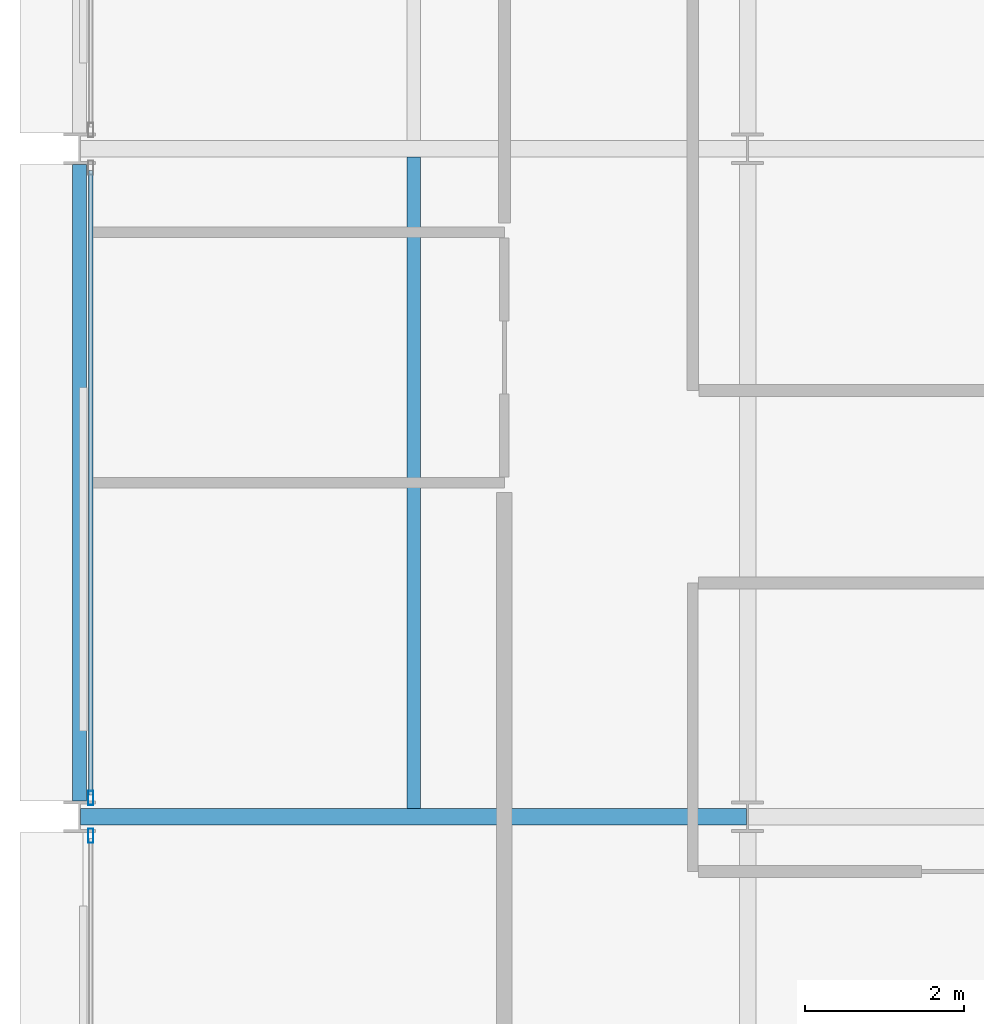
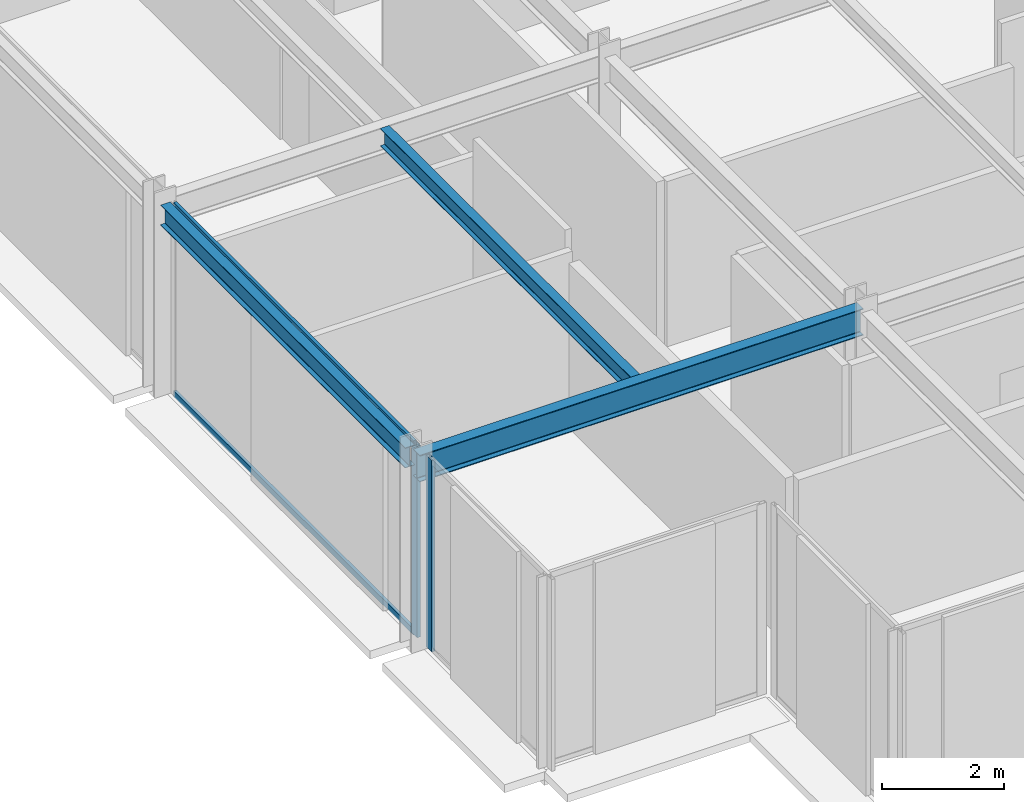
# One storey, part 4 of 30: 4 members, 3 beams, 2 elements without a shape of their own.
"""IFC4 building model written with IfcOpenShell, lengths in metres."""

import ifcopenshell
import ifcopenshell.guid

model = None  # the IFC model being written
_history = None  # IfcOwnerHistory: only IFC2X3 demands one
_inside = {}  # id of a spatial element -> (the spatial element, [elements in it])
_under = {}  # id of a project, library or spatial element -> (it, [spatial elements below it])
_declared = {}  # id of a project -> (the project, [libraries it declares])
_typed = {}  # id of a type object -> (the type object, [elements of that type])
_made_of = {}  # id of a material, layer set ... -> (it, [elements and type objects made of it])


def new_model(schema):
    """Start an empty IFC model of exactly this schema.

    Asked for "IFC4X3", IfcOpenShell would pick the latest addendum, in which some entities
    have other attributes; the version numbers below select the first issue.
    IFC2X3 requires an IfcOwnerHistory on every rooted entity: one is made here for all.
    """
    global model, _history
    if schema == "IFC4X3":
        model = ifcopenshell.file(schema_version=(4, 3, 0, 0))
    else:
        model = ifcopenshell.file(schema=schema)
    _inside.clear()
    _under.clear()
    _declared.clear()
    _typed.clear()
    _made_of.clear()
    _history = None
    if model.schema == "IFC2X3":
        org = make("IfcOrganization", Name="unknown")
        user = make(
            "IfcPersonAndOrganization",
            ThePerson=make("IfcPerson", FamilyName="unknown"),
            TheOrganization=org,
        )
        app = make(
            "IfcApplication",
            ApplicationDeveloper=org,
            Version="unknown",
            ApplicationFullName="unknown",
            ApplicationIdentifier="unknown",
        )
        _history = make(
            "IfcOwnerHistory",
            OwningUser=user,
            OwningApplication=app,
            ChangeAction="ADDED",
            CreationDate=0,
        )
    return model


def make(cls, **values):
    """One entity of the class cls with the attributes given. An attribute that is None is left unset."""
    return model.create_entity(
        cls, **{name: value for name, value in values.items() if value is not None}
    )


def rooted(cls, **values):
    """An entity with a GlobalId (a new one), such as an element, a storey or a relation."""
    return make(cls, GlobalId=ifcopenshell.guid.new(), OwnerHistory=_history, **values)


def si_unit(unit_type, name, prefix=None):
    """IfcSIUnit, for example si_unit("LENGTHUNIT", "METRE", prefix="MILLI")."""
    return make("IfcSIUnit", UnitType=unit_type, Prefix=prefix, Name=name)


def assignment(units):
    """IfcUnitAssignment: the units of a project."""
    return None if units is None else make("IfcUnitAssignment", Units=units)


def point(xyz):
    """IfcCartesianPoint."""
    return None if xyz is None else make("IfcCartesianPoint", Coordinates=xyz)


def direction(xyz):
    """IfcDirection."""
    return None if xyz is None else make("IfcDirection", DirectionRatios=xyz)


def frame(location, z_axis=None, x_axis=None):
    """IfcAxis2Placement3D, a coordinate frame: its origin and axes. An axis left out is left unset."""
    return make(
        "IfcAxis2Placement3D",
        Location=point(location),
        Axis=direction(z_axis),
        RefDirection=direction(x_axis),
    )


def frame_2d(location, x_axis=None):
    """IfcAxis2Placement2D, a coordinate frame in the plane: its origin and x axis."""
    return make(
        "IfcAxis2Placement2D", Location=point(location), RefDirection=direction(x_axis)
    )


def origin():
    """The frame at (0, 0, 0) with its axes left unset."""
    return frame((0.0, 0.0, 0.0))


def origin_2d():
    """The frame at (0, 0) in the plane with its x axis left unset."""
    return frame_2d((0.0, 0.0))


def place(relative_to, where):
    """IfcLocalPlacement: puts the frame where relative to a parent placement (None: the world)."""
    return make(
        "IfcLocalPlacement", PlacementRelTo=relative_to, RelativePlacement=where
    )


def context(
    kind, dimensions, precision=None, world=None, true_north=None, identifier=None
):
    """IfcGeometricRepresentationContext, for example the 3D "Model" context."""
    return make(
        "IfcGeometricRepresentationContext",
        ContextIdentifier=identifier,
        ContextType=kind,
        CoordinateSpaceDimension=dimensions,
        Precision=precision,
        WorldCoordinateSystem=world,
        TrueNorth=true_north,
    )


def subcontext(parent, identifier, kind, view, scale=None):
    """IfcGeometricRepresentationSubContext, for example "Body" below "Model"."""
    return make(
        "IfcGeometricRepresentationSubContext",
        ContextIdentifier=identifier,
        ContextType=kind,
        ParentContext=parent,
        TargetScale=scale,
        TargetView=view,
    )


def project(units=None, contexts=None):
    """IfcProject with its units and contexts."""
    return rooted(
        "IfcProject",
        Name="project",
        RepresentationContexts=contexts,
        UnitsInContext=assignment(units),
    )


def spatial(cls, under=None, at=None, **own):
    """A site, building, storey or space (cls), placed at a placement, below another one or the project."""
    s = rooted(cls, ObjectPlacement=at, **own)
    if under is not None:
        _under.setdefault(under.id(), (under, []))[1].append(s)
    return s


def profile(cls, at=None, kind="AREA", **sizes):
    """A parametric profile (cls). Its sizes go by their IFC names, for example OverallWidth=200.0."""
    return make(cls, ProfileType=kind, Position=at, **sizes)


def hollow_rectangle(**sizes):
    """IfcRectangleHollowProfileDef."""
    return profile("IfcRectangleHollowProfileDef", **sizes)


def i_section(**sizes):
    """IfcIShapeProfileDef."""
    return profile("IfcIShapeProfileDef", **sizes)


def extrude(swept, where, along, depth):
    """IfcExtrudedAreaSolid: the profile swept, set in the frame where, extruded along a direction by depth."""
    return make(
        "IfcExtrudedAreaSolid",
        SweptArea=swept,
        Position=where,
        ExtrudedDirection=direction(along),
        Depth=depth,
    )


def shape(context_of_items, identifier, shape_type, items):
    """IfcShapeRepresentation: the items that make up one representation, for example the "Body"."""
    return make(
        "IfcShapeRepresentation",
        ContextOfItems=context_of_items,
        RepresentationIdentifier=identifier,
        RepresentationType=shape_type,
        Items=items,
    )


def material(Name=None, Category=None):
    """IfcMaterial."""
    return make("IfcMaterial", Name=Name, Category=Category)


def layer(
    of_material, thickness, ventilated=None, Name=None, Category=None, Priority=None
):
    """IfcMaterialLayer: one layer of a wall or slab, of a material (None: an air gap)."""
    return make(
        "IfcMaterialLayer",
        Material=of_material,
        LayerThickness=thickness,
        IsVentilated=ventilated,
        Name=Name,
        Category=Category,
        Priority=Priority,
    )


def layer_set(layers, Name=None):
    """IfcMaterialLayerSet."""
    return make("IfcMaterialLayerSet", MaterialLayers=layers, LayerSetName=Name)


def material_profile(
    of_material, cross_section, Name=None, Category=None, Priority=None
):
    """IfcMaterialProfile: a cross section and its material."""
    return make(
        "IfcMaterialProfile",
        Name=Name,
        Material=of_material,
        Profile=cross_section,
        Priority=Priority,
        Category=Category,
    )


def profile_set(profiles, Name=None, composite=None):
    """IfcMaterialProfileSet."""
    return make(
        "IfcMaterialProfileSet",
        Name=Name,
        MaterialProfiles=profiles,
        CompositeProfile=composite,
    )


def made_of(thing, what):
    """Note that an element or type object is made of a material, layer set ...; save() writes the relation."""
    if what is not None:
        _made_of.setdefault(what.id(), (what, []))[1].append(thing)
    return thing


def type_object(cls, material=None, **own):
    """A type object (cls), such as IfcWallType, which elements share."""
    return made_of(rooted(cls, **own), material)


def element(
    cls,
    number,
    at=None,
    inside=None,
    cuts=None,
    type_object=None,
    material=None,
    context=None,
    identifier="Body",
    shape_type=None,
    held_by="IfcProductDefinitionShape",
    body=None,
    shapes=None,
    **own,
):
    """One element of the class cls, such as IfcWall. Its Tag is "e" and its number.

    at: its placement. inside: the storey or other place that contains it. cuts: it is an
    opening in that element (IfcRelVoidsElement). A single representation is given by context,
    identifier, shape_type and body (its items); several are given by shapes. held_by: the class
    of the entity that holds the representations. save() writes the other relations.
    """
    e = rooted(cls, Tag="e%d" % number, ObjectPlacement=at, **own)
    if body is not None:
        shapes = [shape(context, identifier, shape_type, body)]
    if shapes is not None:
        e.Representation = make(held_by, Representations=shapes)
    if inside is not None:
        _inside.setdefault(inside.id(), (inside, []))[1].append(e)
    if cuts is not None:
        rooted(
            "IfcRelVoidsElement", RelatingBuildingElement=cuts, RelatedOpeningElement=e
        )
    if type_object is not None:
        _typed.setdefault(type_object.id(), (type_object, []))[1].append(e)
    return made_of(e, material)


def aggregate(whole, parts):
    """IfcRelAggregates: a whole, such as a stair, and the parts it consists of."""
    return rooted("IfcRelAggregates", RelatingObject=whole, RelatedObjects=parts)


def save(model, path):
    """Write the relations noted so far, then the file.

    IfcRelAggregates (storeys below a building ...), IfcRelContainedInSpatialStructure (elements
    in a storey), IfcRelDefinesByType, IfcRelAssociatesMaterial and IfcRelDeclares: one each for
    every whole, place, type object, material and project.
    """
    for whole, parts in _under.values():
        aggregate(whole, parts)
    for where, things in _inside.values():
        rooted(
            "IfcRelContainedInSpatialStructure",
            RelatedElements=things,
            RelatingStructure=where,
        )
    for kind, things in _typed.values():
        rooted("IfcRelDefinesByType", RelatedObjects=things, RelatingType=kind)
    for what, things in _made_of.values():
        rooted("IfcRelAssociatesMaterial", RelatedObjects=things, RelatingMaterial=what)
    for by, libraries in _declared.values():
        rooted("IfcRelDeclares", RelatingContext=by, RelatedDefinitions=libraries)
    model.write(path)


model = new_model("IFC4")

# Units and contexts
model_context = context("Model", 3, precision=1e-05, world=origin(), true_north=direction((0.0, 1.0)))
body_context = subcontext(model_context, "Body", "Model", "MODEL_VIEW")
ifc_project = project(units=[si_unit("LENGTHUNIT", "METRE"), si_unit("AREAUNIT", "SQUARE_METRE"), si_unit("VOLUMEUNIT", "CUBIC_METRE"), si_unit("PLANEANGLEUNIT", "RADIAN"), si_unit("MASSUNIT", "GRAM", prefix="KILO")], contexts=[model_context])

# Site, building, storey
site_placement = place(None, origin())
site = spatial("IfcSite", under=ifc_project, at=site_placement, CompositionType="ELEMENT")
building_placement = place(site_placement, origin())
building = spatial("IfcBuilding", under=site, at=building_placement, Name="Nerrivon Quay Data Exchange", CompositionType="ELEMENT")
storey_placement = place(building_placement, frame((0.0, 0.0, 129.5)))
storey = spatial("IfcBuildingStorey", under=building, at=storey_placement, Name="L30", CompositionType="ELEMENT", Elevation=129.5)

# Beams
ifc_material_1 = material(Name="Steel Grade 350", Category="steel")
ifc_material_profile_1 = material_profile(ifc_material_1, i_section(OverallWidth=0.208984375, OverallDepth=0.532958984375, WebThickness=0.01025390625, FlangeThickness=0.015625, FilletRadius=0.013916015625, at=origin_2d()), Name="530UB92.4")
ifc_profile_set_1 = profile_set([ifc_material_profile_1], Name="Steel Grade 350")
beam_type_1 = type_object("IfcBeamType", Name="BM-G3-530UB92", PredefinedType="BEAM", material=ifc_profile_set_1)
beam_1_placement = place(storey_placement, frame((0.012451171875, 8.39990234375, 3.55859375), z_axis=(1.0, 0.0, 0.0), x_axis=(0.0, 1.0, 0.0)))
element("IfcBeam", 1, at=beam_1_placement, inside=storey, type_object=beam_type_1, Name="L30 EW Girder Y=8.4 (0.0..8.4)", PredefinedType="BEAM", context=body_context, shape_type="SweptSolid", body=[
    extrude(i_section(OverallWidth=0.208984375, OverallDepth=0.532958984375, WebThickness=0.01025390625, FlangeThickness=0.015625, FilletRadius=0.013916015625, at=origin_2d()), origin(), (0.0, 0.0, 1.0), 8.375),
])
ifc_material_profile_2 = material_profile(ifc_material_1, i_section(OverallWidth=0.1708984375, OverallDepth=0.35595703125, WebThickness=0.00732421875, FlangeThickness=0.011474609375, FilletRadius=0.011474609375, at=origin_2d()), Name="360UB50.7")
ifc_profile_set_2 = profile_set([ifc_material_profile_2], Name="Steel Grade 350")
beam_type_2 = type_object("IfcBeamType", Name="BM-J4-360UB51", PredefinedType="JOIST", material=ifc_profile_set_2)
beam_2_placement = place(storey_placement, frame((4.199951171875, 8.50439453125, 3.64697265625), z_axis=(0.0, 1.0, 0.0), x_axis=(-1.0, 0.0, 0.0)))
element("IfcBeam", 2, at=beam_2_placement, inside=storey, type_object=beam_type_2, Name="L30 Secondary Joist X=4.2 (8.4..16.8)", PredefinedType="JOIST", context=body_context, shape_type="SweptSolid", body=[
    extrude(i_section(OverallWidth=0.1708984375, OverallDepth=0.35595703125, WebThickness=0.00732421875, FlangeThickness=0.011474609375, FilletRadius=0.011474609375, at=origin_2d()), origin(), (0.0, 0.0, 1.0), 8.191162109375),
])
ifc_material_profile_3 = material_profile(ifc_material_1, i_section(OverallWidth=0.177978515625, OverallDepth=0.403076171875, WebThickness=0.007568359375, FlangeThickness=0.010986328125, FilletRadius=0.011474609375, at=origin_2d()), Name="410UB53.7")
ifc_profile_set_3 = profile_set([ifc_material_profile_3], Name="Steel Grade 350")
beam_type_3 = type_object("IfcBeamType", Name="BM-SP2-410UB54", PredefinedType="SPANDREL", material=ifc_profile_set_3)
beam_3_placement = place(storey_placement, frame((0.0, 8.60009765625, 3.62353515625), z_axis=(0.0, 1.0, 0.0), x_axis=(-1.0, 0.0, 0.0)))
element("IfcBeam", 3, at=beam_3_placement, inside=storey, type_object=beam_type_3, Name="L30 NS Girder X=0.0 (8.4..16.8)", PredefinedType="SPANDREL", context=body_context, shape_type="SweptSolid", body=[
    extrude(i_section(OverallWidth=0.177978515625, OverallDepth=0.403076171875, WebThickness=0.007568359375, FlangeThickness=0.010986328125, FilletRadius=0.011474609375, at=origin_2d()), origin(), (0.0, 0.0, 1.0), 8.0),
])

# Curtain wall, member
ifc_material_2 = material(Name="Anodised aluminium 6063-T6", Category="aluminium")
ifc_layer = layer(ifc_material_2, 0.2099609375)
ifc_layer_set = layer_set([ifc_layer], Name="Anodised aluminium 6063-T6")
curtain_wall_type = type_object("IfcCurtainWallType", Name="CW-SYS-02", PredefinedType="NOTDEFINED", material=ifc_layer_set)
curtain_wall_1_placement = place(storey_placement, origin())
curtain_wall_1 = element("IfcCurtainWall", 4, at=curtain_wall_1_placement, inside=storey, type_object=curtain_wall_type, Name="L30 Unitised Curtain Wall 11", PredefinedType="NOTDEFINED")
ifc_material_profile_4 = material_profile(ifc_material_2, hollow_rectangle(XDim=0.06494140625, YDim=0.179931640625, WallThickness=0.00341796875, at=origin_2d()), Name="ALU-MULL-180x65")
ifc_profile_set_4 = profile_set([ifc_material_profile_4], Name="Anodised aluminium 6063-T6")
member_type_1 = type_object("IfcMemberType", Name="CWM-180x65", PredefinedType="MULLION", material=ifc_profile_set_4)
member_1_placement = place(storey_placement, frame((0.139892578125, 8.16259765625, 0.0), z_axis=(0.0, 0.0, 1.0), x_axis=(-1.0, 0.0, 0.0)))
member_1 = element("IfcMember", 5, at=member_1_placement, type_object=member_type_1, Name="CW02 mullion 2", PredefinedType="MULLION", context=body_context, shape_type="SweptSolid", body=[
    extrude(hollow_rectangle(XDim=0.06494140625, YDim=0.179931640625, WallThickness=0.00341796875, at=origin_2d()), origin(), (0.0, 0.0, 1.0), 3.824951171875),
])
aggregate(curtain_wall_1, [member_1])

# Curtain wall, members
curtain_wall_2_placement = place(storey_placement, origin())
curtain_wall_2 = element("IfcCurtainWall", 6, at=curtain_wall_2_placement, inside=storey, type_object=curtain_wall_type, Name="L30 Unitised Curtain Wall 12", PredefinedType="NOTDEFINED")
member_2_placement = place(storey_placement, frame((0.139892578125, 8.637451171875, 0.0), z_axis=(0.0, 0.0, 1.0), x_axis=(-1.0, 0.0, 0.0)))
member_2 = element("IfcMember", 7, at=member_2_placement, type_object=member_type_1, Name="CW02 mullion 1", PredefinedType="MULLION", context=body_context, shape_type="SweptSolid", body=[
    extrude(hollow_rectangle(XDim=0.06494140625, YDim=0.179931640625, WallThickness=0.00341796875, at=origin_2d()), origin(), (0.0, 0.0, 1.0), 3.824951171875),
])
ifc_material_profile_5 = material_profile(ifc_material_2, hollow_rectangle(XDim=0.06005859375, YDim=0.1201171875, WallThickness=0.003173828125, at=origin_2d()), Name="ALU-TRAN-120x60")
ifc_profile_set_5 = profile_set([ifc_material_profile_5], Name="Anodised aluminium 6063-T6")
member_type_2 = type_object("IfcMemberType", Name="CWT-120x60", PredefinedType="USERDEFINED", material=ifc_profile_set_5)
member_3_placement = place(storey_placement, frame((0.139892578125, 8.675048828125, 0.032470703125), z_axis=(0.0, 1.0, 0.0), x_axis=(-1.0, 0.0, 0.0)))
member_3 = element("IfcMember", 8, at=member_3_placement, type_object=member_type_2, Name="CW02 transom 1.1", ObjectType="TRANSOM", PredefinedType="USERDEFINED", context=body_context, shape_type="SweptSolid", body=[
    extrude(hollow_rectangle(XDim=0.06005859375, YDim=0.1201171875, WallThickness=0.003173828125, at=origin_2d()), origin(), (0.0, 0.0, 1.0), 7.849853515625),
])
member_4_placement = place(storey_placement, frame((0.139892578125, 8.675048828125, 3.79248046875), z_axis=(0.0, 1.0, 0.0), x_axis=(-1.0, 0.0, 0.0)))
member_4 = element("IfcMember", 9, at=member_4_placement, type_object=member_type_2, Name="CW02 transom 1.2", ObjectType="TRANSOM", PredefinedType="USERDEFINED", context=body_context, shape_type="SweptSolid", body=[
    extrude(hollow_rectangle(XDim=0.06005859375, YDim=0.1201171875, WallThickness=0.003173828125, at=origin_2d()), origin(), (0.0, 0.0, 1.0), 7.849853515625),
])
aggregate(curtain_wall_2, [member_2, member_3, member_4])

save(model, "model.ifc")
